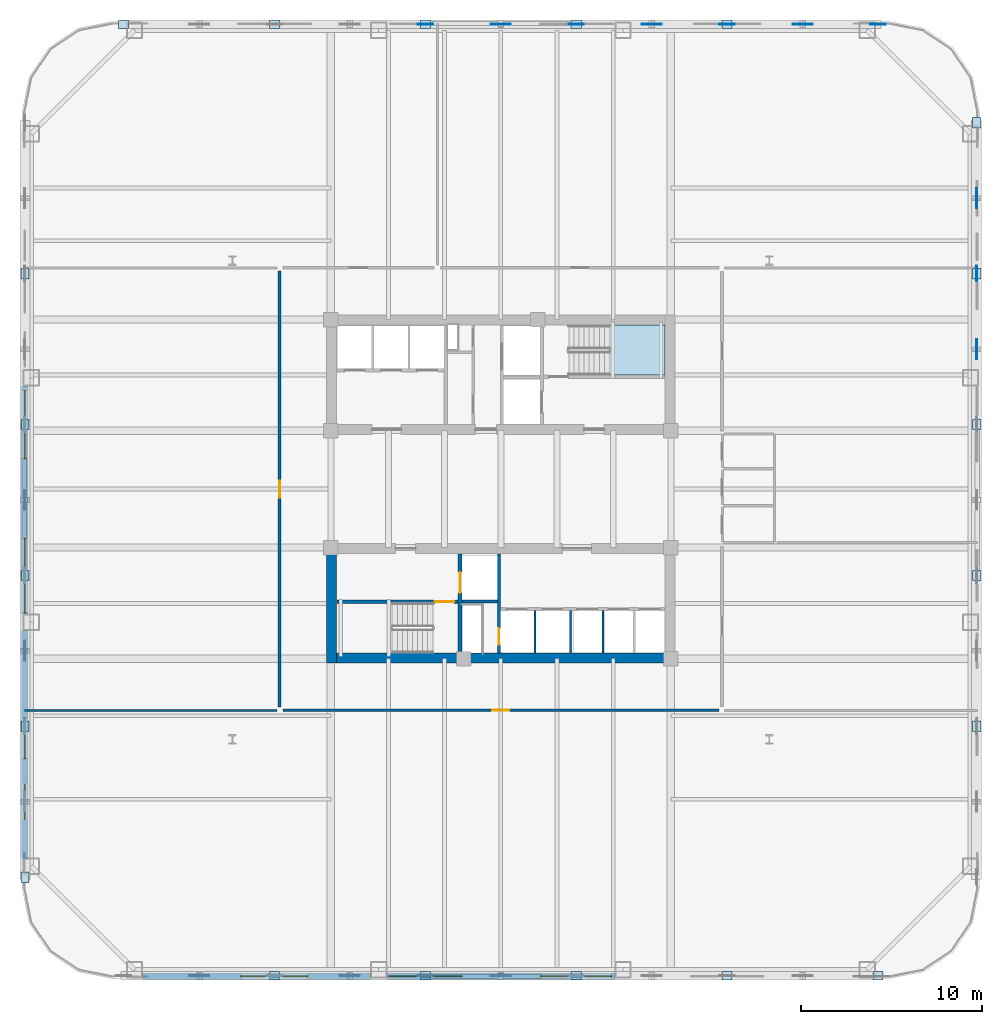
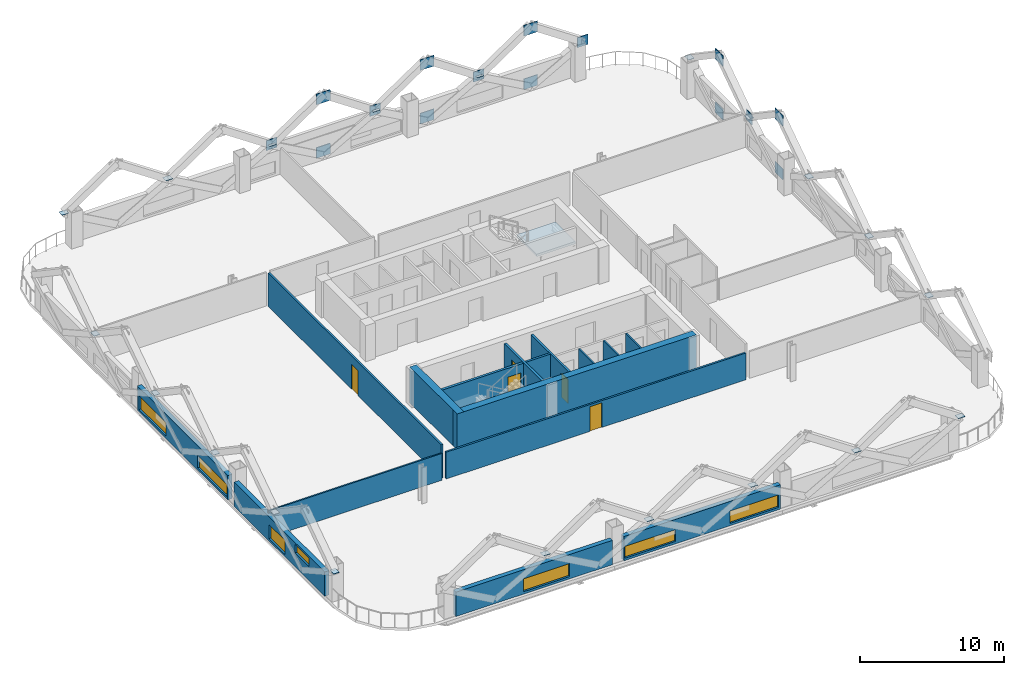
# One storey, part 4 of 13: 35 plates, 16 walls, 7 windows, 5 doors, 1 slab, 12 openings, 1 element without a shape of its own.
"""IFC4 building model written with IfcOpenShell, lengths in metres."""

import ifcopenshell
import ifcopenshell.guid

model = None  # the IFC model being written
_history = None  # IfcOwnerHistory: only IFC2X3 demands one
_inside = {}  # id of a spatial element -> (the spatial element, [elements in it])
_under = {}  # id of a project, library or spatial element -> (it, [spatial elements below it])
_declared = {}  # id of a project -> (the project, [libraries it declares])
_typed = {}  # id of a type object -> (the type object, [elements of that type])
_made_of = {}  # id of a material, layer set ... -> (it, [elements and type objects made of it])


def new_model(schema):
    """Start an empty IFC model of exactly this schema.

    Asked for "IFC4X3", IfcOpenShell would pick the latest addendum, in which some entities
    have other attributes; the version numbers below select the first issue.
    IFC2X3 requires an IfcOwnerHistory on every rooted entity: one is made here for all.
    """
    global model, _history
    if schema == "IFC4X3":
        model = ifcopenshell.file(schema_version=(4, 3, 0, 0))
    else:
        model = ifcopenshell.file(schema=schema)
    _inside.clear()
    _under.clear()
    _declared.clear()
    _typed.clear()
    _made_of.clear()
    _history = None
    if model.schema == "IFC2X3":
        org = make("IfcOrganization", Name="unknown")
        user = make(
            "IfcPersonAndOrganization",
            ThePerson=make("IfcPerson", FamilyName="unknown"),
            TheOrganization=org,
        )
        app = make(
            "IfcApplication",
            ApplicationDeveloper=org,
            Version="unknown",
            ApplicationFullName="unknown",
            ApplicationIdentifier="unknown",
        )
        _history = make(
            "IfcOwnerHistory",
            OwningUser=user,
            OwningApplication=app,
            ChangeAction="ADDED",
            CreationDate=0,
        )
    return model


def make(cls, **values):
    """One entity of the class cls with the attributes given. An attribute that is None is left unset."""
    return model.create_entity(
        cls, **{name: value for name, value in values.items() if value is not None}
    )


def rooted(cls, **values):
    """An entity with a GlobalId (a new one), such as an element, a storey or a relation."""
    return make(cls, GlobalId=ifcopenshell.guid.new(), OwnerHistory=_history, **values)


def si_unit(unit_type, name, prefix=None):
    """IfcSIUnit, for example si_unit("LENGTHUNIT", "METRE", prefix="MILLI")."""
    return make("IfcSIUnit", UnitType=unit_type, Prefix=prefix, Name=name)


def assignment(units):
    """IfcUnitAssignment: the units of a project."""
    return None if units is None else make("IfcUnitAssignment", Units=units)


def point(xyz):
    """IfcCartesianPoint."""
    return None if xyz is None else make("IfcCartesianPoint", Coordinates=xyz)


def direction(xyz):
    """IfcDirection."""
    return None if xyz is None else make("IfcDirection", DirectionRatios=xyz)


def frame(location, z_axis=None, x_axis=None):
    """IfcAxis2Placement3D, a coordinate frame: its origin and axes. An axis left out is left unset."""
    return make(
        "IfcAxis2Placement3D",
        Location=point(location),
        Axis=direction(z_axis),
        RefDirection=direction(x_axis),
    )


def frame_2d(location, x_axis=None):
    """IfcAxis2Placement2D, a coordinate frame in the plane: its origin and x axis."""
    return make(
        "IfcAxis2Placement2D", Location=point(location), RefDirection=direction(x_axis)
    )


def origin():
    """The frame at (0, 0, 0) with its axes left unset."""
    return frame((0.0, 0.0, 0.0))


def origin_2d():
    """The frame at (0, 0) in the plane with its x axis left unset."""
    return frame_2d((0.0, 0.0))


def place(relative_to, where):
    """IfcLocalPlacement: puts the frame where relative to a parent placement (None: the world)."""
    return make(
        "IfcLocalPlacement", PlacementRelTo=relative_to, RelativePlacement=where
    )


def context(
    kind, dimensions, precision=None, world=None, true_north=None, identifier=None
):
    """IfcGeometricRepresentationContext, for example the 3D "Model" context."""
    return make(
        "IfcGeometricRepresentationContext",
        ContextIdentifier=identifier,
        ContextType=kind,
        CoordinateSpaceDimension=dimensions,
        Precision=precision,
        WorldCoordinateSystem=world,
        TrueNorth=true_north,
    )


def subcontext(parent, identifier, kind, view, scale=None):
    """IfcGeometricRepresentationSubContext, for example "Body" below "Model"."""
    return make(
        "IfcGeometricRepresentationSubContext",
        ContextIdentifier=identifier,
        ContextType=kind,
        ParentContext=parent,
        TargetScale=scale,
        TargetView=view,
    )


def project(units=None, contexts=None):
    """IfcProject with its units and contexts."""
    return rooted(
        "IfcProject",
        Name="project",
        RepresentationContexts=contexts,
        UnitsInContext=assignment(units),
    )


def spatial(cls, under=None, at=None, **own):
    """A site, building, storey or space (cls), placed at a placement, below another one or the project."""
    s = rooted(cls, ObjectPlacement=at, **own)
    if under is not None:
        _under.setdefault(under.id(), (under, []))[1].append(s)
    return s


def polyline(points):
    """IfcPolyline through the points."""
    return make("IfcPolyline", Points=[point(p) for p in points])


def profile(cls, at=None, kind="AREA", **sizes):
    """A parametric profile (cls). Its sizes go by their IFC names, for example OverallWidth=200.0."""
    return make(cls, ProfileType=kind, Position=at, **sizes)


def rectangle(**sizes):
    """IfcRectangleProfileDef."""
    return profile("IfcRectangleProfileDef", **sizes)


def outline(outer, holes=None, kind="AREA"):
    """IfcArbitraryClosedProfileDef: a profile drawn as a closed curve; with holes, ...WithVoids."""
    if holes is None:
        return make("IfcArbitraryClosedProfileDef", ProfileType=kind, OuterCurve=outer)
    return make(
        "IfcArbitraryProfileDefWithVoids",
        ProfileType=kind,
        OuterCurve=outer,
        InnerCurves=holes,
    )


def extrude(swept, where, along, depth):
    """IfcExtrudedAreaSolid: the profile swept, set in the frame where, extruded along a direction by depth."""
    return make(
        "IfcExtrudedAreaSolid",
        SweptArea=swept,
        Position=where,
        ExtrudedDirection=direction(along),
        Depth=depth,
    )


def shape(context_of_items, identifier, shape_type, items):
    """IfcShapeRepresentation: the items that make up one representation, for example the "Body"."""
    return make(
        "IfcShapeRepresentation",
        ContextOfItems=context_of_items,
        RepresentationIdentifier=identifier,
        RepresentationType=shape_type,
        Items=items,
    )


def material(Name=None, Category=None):
    """IfcMaterial."""
    return make("IfcMaterial", Name=Name, Category=Category)


def layer(
    of_material, thickness, ventilated=None, Name=None, Category=None, Priority=None
):
    """IfcMaterialLayer: one layer of a wall or slab, of a material (None: an air gap)."""
    return make(
        "IfcMaterialLayer",
        Material=of_material,
        LayerThickness=thickness,
        IsVentilated=ventilated,
        Name=Name,
        Category=Category,
        Priority=Priority,
    )


def layer_set(layers, Name=None):
    """IfcMaterialLayerSet."""
    return make("IfcMaterialLayerSet", MaterialLayers=layers, LayerSetName=Name)


def made_of(thing, what):
    """Note that an element or type object is made of a material, layer set ...; save() writes the relation."""
    if what is not None:
        _made_of.setdefault(what.id(), (what, []))[1].append(thing)
    return thing


def type_object(cls, material=None, **own):
    """A type object (cls), such as IfcWallType, which elements share."""
    return made_of(rooted(cls, **own), material)


def element(
    cls,
    number,
    at=None,
    inside=None,
    cuts=None,
    type_object=None,
    material=None,
    context=None,
    identifier="Body",
    shape_type=None,
    held_by="IfcProductDefinitionShape",
    body=None,
    shapes=None,
    **own,
):
    """One element of the class cls, such as IfcWall. Its Tag is "e" and its number.

    at: its placement. inside: the storey or other place that contains it. cuts: it is an
    opening in that element (IfcRelVoidsElement). A single representation is given by context,
    identifier, shape_type and body (its items); several are given by shapes. held_by: the class
    of the entity that holds the representations. save() writes the other relations.
    """
    e = rooted(cls, Tag="e%d" % number, ObjectPlacement=at, **own)
    if body is not None:
        shapes = [shape(context, identifier, shape_type, body)]
    if shapes is not None:
        e.Representation = make(held_by, Representations=shapes)
    if inside is not None:
        _inside.setdefault(inside.id(), (inside, []))[1].append(e)
    if cuts is not None:
        rooted(
            "IfcRelVoidsElement", RelatingBuildingElement=cuts, RelatedOpeningElement=e
        )
    if type_object is not None:
        _typed.setdefault(type_object.id(), (type_object, []))[1].append(e)
    return made_of(e, material)


def fill(opening, filler):
    """IfcRelFillsElement: the door or window that sits in an opening."""
    return rooted(
        "IfcRelFillsElement",
        RelatingOpeningElement=opening,
        RelatedBuildingElement=filler,
    )


def aggregate(whole, parts):
    """IfcRelAggregates: a whole, such as a stair, and the parts it consists of."""
    return rooted("IfcRelAggregates", RelatingObject=whole, RelatedObjects=parts)


def save(model, path):
    """Write the relations noted so far, then the file.

    IfcRelAggregates (storeys below a building ...), IfcRelContainedInSpatialStructure (elements
    in a storey), IfcRelDefinesByType, IfcRelAssociatesMaterial and IfcRelDeclares: one each for
    every whole, place, type object, material and project.
    """
    for whole, parts in _under.values():
        aggregate(whole, parts)
    for where, things in _inside.values():
        rooted(
            "IfcRelContainedInSpatialStructure",
            RelatedElements=things,
            RelatingStructure=where,
        )
    for kind, things in _typed.values():
        rooted("IfcRelDefinesByType", RelatedObjects=things, RelatingType=kind)
    for what, things in _made_of.values():
        rooted("IfcRelAssociatesMaterial", RelatedObjects=things, RelatingMaterial=what)
    for by, libraries in _declared.values():
        rooted("IfcRelDeclares", RelatingContext=by, RelatedDefinitions=libraries)
    model.write(path)


model = new_model("IFC4")

# Units and contexts
model_context = context("Model", 3, precision=1e-05, world=origin(), true_north=direction((0.0, 1.0)))
body_context = subcontext(model_context, "Body", "Model", "MODEL_VIEW")
ifc_project = project(units=[si_unit("LENGTHUNIT", "METRE"), si_unit("AREAUNIT", "SQUARE_METRE"), si_unit("VOLUMEUNIT", "CUBIC_METRE"), si_unit("PLANEANGLEUNIT", "RADIAN"), si_unit("MASSUNIT", "GRAM", prefix="KILO")], contexts=[model_context])

# Site, building, storey
site_placement = place(None, origin())
site = spatial("IfcSite", under=ifc_project, at=site_placement, CompositionType="ELEMENT")
building_placement = place(site_placement, origin())
building = spatial("IfcBuilding", under=site, at=building_placement, Name="Qhalaya Broadcast Tower", CompositionType="ELEMENT")
storey_placement = place(building_placement, frame((0.0, 0.0, 32.199951171875)))
storey = spatial("IfcBuildingStorey", under=building, at=storey_placement, Name="L08", CompositionType="ELEMENT", Elevation=32.199951171875)

# Plates
ifc_material_1 = material(Name="Structural Steel ASTM A572 Grade 50", Category="steel")
ifc_layer_1 = layer(ifc_material_1, 0.054931640625, Name="Structural Steel ASTM A572 Grade 50")
ifc_layer_set_1 = layer_set([ifc_layer_1], Name="Structural Steel ASTM A572 Grade 50")
plate_type_1 = type_object("IfcPlateType", Name="Exoskeleton Diamond Node Gusset Plate NP-01", PredefinedType="USERDEFINED", material=ifc_layer_set_1)
for number, where, z_axis, x_axis, name in (
    (1, (26.239990234375, 8.320068359375, 0.210205078125), (0.0, 0.0, 1.0), (0.0, 1.0, 0.0), "Exoskeleton Diamond Node B1-E4-BOT"),
    (2, (26.239990234375, 8.320068359375, 4.75), (0.0, 0.0, 1.0), (0.0, 1.0, 0.0), "Exoskeleton Diamond Node B1-E4-TOP"),
    (3, (26.239990234375, 16.639892578125, 0.210205078125), (0.0, 0.0, 1.0), (0.0, 1.0, 0.0), "Exoskeleton Diamond Node B1-E5-BOT"),
    (4, (26.239990234375, 16.639892578125, 4.75), (0.0, 0.0, 1.0), (0.0, 1.0, 0.0), "Exoskeleton Diamond Node B1-E5-TOP"),
):
    element("IfcPlate", number, at=place(storey_placement, frame(where, z_axis=z_axis, x_axis=x_axis)), inside=storey, type_object=plate_type_1, Name=name, ObjectType="GUSSET_PLATE", PredefinedType="USERDEFINED", context=body_context, shape_type="SweptSolid", body=[
        extrude(rectangle(XDim=1.10009765625, YDim=0.054931640625, at=origin_2d()), origin(), (0.0, 0.0, 1.0), 0.89990234375),
    ])
plate_1_placement = place(storey_placement, frame((26.239990234375, 12.47998046875, 2.264892578125), z_axis=(0.0, 0.0, 1.0), x_axis=(0.0, 1.0, 0.0)))
element("IfcPlate", 5, at=plate_1_placement, inside=storey, type_object=plate_type_1, Name="Exoskeleton Diamond Node B1-E5-MDL", ObjectType="GUSSET_PLATE", PredefinedType="USERDEFINED", context=body_context, shape_type="SweptSolid", body=[
    extrude(rectangle(XDim=0.85009765625, YDim=0.054931640625, at=origin_2d()), origin(), (0.0, 0.0, 1.0), 0.85009765625),
])
for number, where, z_axis, x_axis, name in (
    (6, (16.639892578125, 26.239990234375, 0.210205078125), (0.0, 0.0, 1.0), (1.0, 0.0, 0.0), "Exoskeleton Diamond Node B1-N1-BOT"),
    (7, (16.639892578125, 26.239990234375, 4.75), (0.0, 0.0, 1.0), (1.0, 0.0, 0.0), "Exoskeleton Diamond Node B1-N1-TOP"),
):
    element("IfcPlate", number, at=place(storey_placement, frame(where, z_axis=z_axis, x_axis=x_axis)), inside=storey, type_object=plate_type_1, Name=name, ObjectType="GUSSET_PLATE", PredefinedType="USERDEFINED", context=body_context, shape_type="SweptSolid", body=[
        extrude(rectangle(XDim=1.10009765625, YDim=0.054931640625, at=origin_2d()), origin(), (0.0, 0.0, 1.0), 0.89990234375),
    ])
plate_2_placement = place(storey_placement, frame((20.800048828125, 26.239990234375, 2.264892578125), z_axis=(0.0, 0.0, 1.0), x_axis=(1.0, 0.0, 0.0)))
element("IfcPlate", 8, at=plate_2_placement, inside=storey, type_object=plate_type_1, Name="Exoskeleton Diamond Node B1-N1-MDL", ObjectType="GUSSET_PLATE", PredefinedType="USERDEFINED", context=body_context, shape_type="SweptSolid", body=[
    extrude(rectangle(XDim=0.85009765625, YDim=0.054931640625, at=origin_2d()), origin(), (0.0, 0.0, 1.0), 0.85009765625),
])
for number, where, z_axis, x_axis, name in (
    (9, (8.320068359375, 26.239990234375, 0.210205078125), (0.0, 0.0, 1.0), (1.0, 0.0, 0.0), "Exoskeleton Diamond Node B1-N2-BOT"),
    (10, (8.320068359375, 26.239990234375, 4.75), (0.0, 0.0, 1.0), (1.0, 0.0, 0.0), "Exoskeleton Diamond Node B1-N2-TOP"),
):
    element("IfcPlate", number, at=place(storey_placement, frame(where, z_axis=z_axis, x_axis=x_axis)), inside=storey, type_object=plate_type_1, Name=name, ObjectType="GUSSET_PLATE", PredefinedType="USERDEFINED", context=body_context, shape_type="SweptSolid", body=[
        extrude(rectangle(XDim=1.10009765625, YDim=0.054931640625, at=origin_2d()), origin(), (0.0, 0.0, 1.0), 0.89990234375),
    ])
plate_3_placement = place(storey_placement, frame((12.47998046875, 26.239990234375, 2.264892578125), z_axis=(0.0, 0.0, 1.0), x_axis=(1.0, 0.0, 0.0)))
element("IfcPlate", 11, at=plate_3_placement, inside=storey, type_object=plate_type_1, Name="Exoskeleton Diamond Node B1-N2-MDL", ObjectType="GUSSET_PLATE", PredefinedType="USERDEFINED", context=body_context, shape_type="SweptSolid", body=[
    extrude(rectangle(XDim=0.85009765625, YDim=0.054931640625, at=origin_2d()), origin(), (0.0, 0.0, 1.0), 0.85009765625),
])
for number, where, z_axis, x_axis, name in (
    (12, (0.0, 26.239990234375, 0.210205078125), (0.0, 0.0, 1.0), (1.0, 0.0, 0.0), "Exoskeleton Diamond Node B1-N3-BOT"),
    (13, (0.0, 26.239990234375, 4.75), (0.0, 0.0, 1.0), (1.0, 0.0, 0.0), "Exoskeleton Diamond Node B1-N3-TOP"),
):
    element("IfcPlate", number, at=place(storey_placement, frame(where, z_axis=z_axis, x_axis=x_axis)), inside=storey, type_object=plate_type_1, Name=name, ObjectType="GUSSET_PLATE", PredefinedType="USERDEFINED", context=body_context, shape_type="SweptSolid", body=[
        extrude(rectangle(XDim=1.10009765625, YDim=0.054931640625, at=origin_2d()), origin(), (0.0, 0.0, 1.0), 0.89990234375),
    ])
for number, where, z_axis, x_axis, name in (
    (14, (4.159912109375, 26.239990234375, 2.264892578125), (0.0, 0.0, 1.0), (1.0, 0.0, 0.0), "Exoskeleton Diamond Node B1-N3-MDL"),
    (15, (-4.159912109375, 26.239990234375, 2.264892578125), (0.0, 0.0, 1.0), (1.0, 0.0, 0.0), "Exoskeleton Diamond Node B1-N4-MDL"),
):
    element("IfcPlate", number, at=place(storey_placement, frame(where, z_axis=z_axis, x_axis=x_axis)), inside=storey, type_object=plate_type_1, Name=name, ObjectType="GUSSET_PLATE", PredefinedType="USERDEFINED", context=body_context, shape_type="SweptSolid", body=[
        extrude(rectangle(XDim=0.85009765625, YDim=0.054931640625, at=origin_2d()), origin(), (0.0, 0.0, 1.0), 0.85009765625),
    ])
ifc_layer_2 = layer(ifc_material_1, 0.4599609375, Name="Structural Steel ASTM A572 Grade 50")
ifc_layer_set_2 = layer_set([ifc_layer_2], Name="Structural Steel ASTM A572 Grade 50")
plate_type_2 = type_object("IfcPlateType", Name="Hollow Box Member End Cap Plate CP-01", PredefinedType="USERDEFINED", material=ifc_layer_set_2)
for number, where, z_axis, x_axis, name in (
    (16, (-12.47998046875, -26.239990234375, 2.673828125), (0.0, 0.0, 1.0), (1.0, 0.0, 0.0), "Exoskeleton Hollow End Cap B1-S1"),
    (17, (-4.159912109375, -26.239990234375, 2.673828125), (0.0, 0.0, 1.0), (1.0, 0.0, 0.0), "Exoskeleton Hollow End Cap B1-S2"),
    (18, (4.159912109375, -26.239990234375, 2.673828125), (0.0, 0.0, 1.0), (1.0, 0.0, 0.0), "Exoskeleton Hollow End Cap B1-S3"),
    (19, (12.47998046875, -26.239990234375, 2.673828125), (0.0, 0.0, 1.0), (1.0, 0.0, 0.0), "Exoskeleton Hollow End Cap B1-S4"),
    (20, (20.800048828125, -26.239990234375, 2.673828125), (0.0, 0.0, 1.0), (1.0, 0.0, 0.0), "Exoskeleton Hollow End Cap B1-S5"),
    (21, (26.239990234375, -12.47998046875, 2.673828125), (0.0, 0.0, 1.0), (0.0, 1.0, 0.0), "Exoskeleton Hollow End Cap B1-E1"),
    (22, (26.239990234375, -4.159912109375, 2.673828125), (0.0, 0.0, 1.0), (0.0, 1.0, 0.0), "Exoskeleton Hollow End Cap B1-E2"),
    (23, (26.239990234375, 4.159912109375, 2.673828125), (0.0, 0.0, 1.0), (0.0, 1.0, 0.0), "Exoskeleton Hollow End Cap B1-E3"),
    (24, (26.239990234375, 12.47998046875, 2.673828125), (0.0, 0.0, 1.0), (0.0, 1.0, 0.0), "Exoskeleton Hollow End Cap B1-E4"),
    (25, (26.239990234375, 20.800048828125, 2.673828125), (0.0, 0.0, 1.0), (0.0, 1.0, 0.0), "Exoskeleton Hollow End Cap B1-E5"),
    (26, (12.47998046875, 26.239990234375, 2.673828125), (0.0, 0.0, 1.0), (1.0, 0.0, 0.0), "Exoskeleton Hollow End Cap B1-N1"),
    (27, (4.159912109375, 26.239990234375, 2.673828125), (0.0, 0.0, 1.0), (1.0, 0.0, 0.0), "Exoskeleton Hollow End Cap B1-N2"),
    (28, (-4.159912109375, 26.239990234375, 2.673828125), (0.0, 0.0, 1.0), (1.0, 0.0, 0.0), "Exoskeleton Hollow End Cap B1-N3"),
    (29, (-12.47998046875, 26.239990234375, 2.673828125), (0.0, 0.0, 1.0), (1.0, 0.0, 0.0), "Exoskeleton Hollow End Cap B1-N4"),
    (30, (-20.800048828125, 26.239990234375, 2.673828125), (0.0, 0.0, 1.0), (1.0, 0.0, 0.0), "Exoskeleton Hollow End Cap B1-N5"),
    (31, (-26.239990234375, 12.47998046875, 2.673828125), (0.0, 0.0, 1.0), (0.0, 1.0, 0.0), "Exoskeleton Hollow End Cap B1-W1"),
    (32, (-26.239990234375, 4.159912109375, 2.673828125), (0.0, 0.0, 1.0), (0.0, 1.0, 0.0), "Exoskeleton Hollow End Cap B1-W2"),
    (33, (-26.239990234375, -4.159912109375, 2.673828125), (0.0, 0.0, 1.0), (0.0, 1.0, 0.0), "Exoskeleton Hollow End Cap B1-W3"),
    (34, (-26.239990234375, -12.47998046875, 2.673828125), (0.0, 0.0, 1.0), (0.0, 1.0, 0.0), "Exoskeleton Hollow End Cap B1-W4"),
    (35, (-26.239990234375, -20.800048828125, 2.673828125), (0.0, 0.0, 1.0), (0.0, 1.0, 0.0), "Exoskeleton Hollow End Cap B1-W5"),
):
    element("IfcPlate", number, at=place(storey_placement, frame(where, z_axis=z_axis, x_axis=x_axis)), inside=storey, type_object=plate_type_2, Name=name, ObjectType="COVER_PLATE", PredefinedType="USERDEFINED", context=body_context, shape_type="SweptSolid", body=[
        extrude(rectangle(XDim=0.56005859375, YDim=0.4599609375, at=origin_2d()), origin(), (0.0, 0.0, 1.0), 0.031982421875),
    ])

# Stair, slab
ifc_material_2 = material(Name="Concrete C40/50", Category="concrete")
stair_type = type_object("IfcStairType", Name="Protected Dogleg Core Stair 3150", PredefinedType="TWO_STRAIGHT_RUN_STAIR", material=ifc_material_2)
stair_placement = place(storey_placement, origin())
stair = element("IfcStair", 36, at=stair_placement, inside=storey, type_object=stair_type, Name="L08 North Core Exit Stair ST-1", PredefinedType="TWO_STRAIGHT_RUN_STAIR")
ifc_layer_3 = layer(ifc_material_2, 0.199951171875, Name="Concrete C40/50")
ifc_layer_set_3 = layer_set([ifc_layer_3], Name="Concrete C40/50")
slab_type = type_object("IfcSlabType", Name="Stair & Ramp Half-Landing Slab 200", PredefinedType="LANDING", material=ifc_layer_set_3)
slab_placement = place(storey_placement, frame((0.0, 0.0, 1.324951171875)))
slab = element("IfcSlab", 37, at=slab_placement, type_object=slab_type, Name="ST-1 landing 1", PredefinedType="LANDING", context=body_context, shape_type="SweptSolid", body=[
    extrude(outline(polyline([(5.955078125, 6.8798828125), (9.050048828125, 6.8798828125), (9.050048828125, 9.639892578125), (5.955078125, 9.639892578125), (5.955078125, 6.8798828125)])), origin(), (0.0, 0.0, 1.0), 0.2001953125),
])
aggregate(stair, [slab])

# Wall, opening, door
ifc_material_3 = material(Name="Gypsum Acoustic Partition")
ifc_layer_4 = layer(ifc_material_3, 0.14990234375, Name="Gypsum Acoustic Partition")
ifc_layer_set_4 = layer_set([ifc_layer_4], Name="Gypsum Acoustic Partition")
wall_type_1 = type_object("IfcWallType", Name="Corridor & Tenancy Acoustic Partition 150", PredefinedType="PARTITIONING", material=ifc_layer_set_4)
wall_1_placement = place(storey_placement, frame((-12.02001953125, -11.60009765625, 0.0), z_axis=(0.0, 0.0, 1.0), x_axis=(1.0, 0.0, 0.0)))
wall_1 = element("IfcWall", 38, at=wall_1_placement, inside=storey, type_object=wall_type_1, Name="L08 Partition Wall W-COR-03", PredefinedType="PARTITIONING", context=body_context, shape_type="SweptSolid", body=[
    extrude(rectangle(XDim=24.0400390625, YDim=0.14990234375, at=frame_2d((12.02001953125, 0.0))), origin(), (0.0, 0.0, 1.0), 2.274169921875),
])
opening_1_placement = place(wall_1_placement, frame((11.544921875, 0.0, 0.0)))
opening_1 = element("IfcOpeningElement", 39, at=opening_1_placement, cuts=wall_1, Name="Opening D10", PredefinedType="OPENING", context=body_context, shape_type="SweptSolid", body=[
    extrude(rectangle(XDim=0.949951171875, YDim=2.10009765625, at=frame_2d((0.47509765625, 1.050048828125))), frame((0.0, 0.0869140625, 0.0), z_axis=(0.0, -1.0, 0.0), x_axis=(1.0, 0.0, 0.0)), (0.0, 0.0, 1.0), 0.173828125),
])
ifc_material_4 = material(Name="Timber Veneer Acoustic Door", Category="wood")
door_type_1 = type_object("IfcDoorType", Name="Cellular Office & Edit Booth Door D10", OperationType="NOTDEFINED", PredefinedType="DOOR", material=ifc_material_4)
door_1_placement = place(opening_1_placement, origin())
door_1 = element("IfcDoor", 40, at=door_1_placement, inside=storey, type_object=door_type_1, Name="L08 Door D-RM03", OperationType="SINGLE_SWING_RIGHT", OverallHeight=2.10009765625, OverallWidth=0.949951171875, PredefinedType="DOOR", context=body_context, shape_type="SweptSolid", body=[
    extrude(rectangle(XDim=0.949951171875, YDim=2.10009765625, at=frame_2d((0.47509765625, 1.050048828125))), frame((0.0, 0.02490234375, 0.0), z_axis=(0.0, -1.0, 0.0), x_axis=(1.0, 0.0, 0.0)), (0.0, 0.0, 1.0), 0.050048828125),
])
fill(opening_1, door_1)

wall_2_placement = place(storey_placement, frame((-12.199951171875, -11.419921875, 0.0), z_axis=(0.0, 0.0, 1.0), x_axis=(0.0, 1.0, 0.0)))
wall_2 = element("IfcWall", 41, at=wall_2_placement, inside=storey, type_object=wall_type_1, Name="L08 Partition Wall W-COR-04", PredefinedType="PARTITIONING", context=body_context, shape_type="SweptSolid", body=[
    extrude(rectangle(XDim=24.0400390625, YDim=0.14990234375, at=frame_2d((12.02001953125, 0.0))), origin(), (0.0, 0.0, 1.0), 2.830078125),
])
opening_2_placement = place(wall_2_placement, frame((11.544921875, 0.0, 0.0)))
opening_2 = element("IfcOpeningElement", 42, at=opening_2_placement, cuts=wall_2, Name="Opening D10", PredefinedType="OPENING", context=body_context, shape_type="SweptSolid", body=[
    extrude(rectangle(XDim=0.949951171875, YDim=2.10009765625, at=frame_2d((0.47509765625, 1.050048828125))), frame((0.0, 0.0869140625, 0.0), z_axis=(0.0, -1.0, 0.0), x_axis=(1.0, 0.0, 0.0)), (0.0, 0.0, 1.0), 0.173828125),
])
door_2_placement = place(opening_2_placement, origin())
door_2 = element("IfcDoor", 43, at=door_2_placement, inside=storey, type_object=door_type_1, Name="L08 Door D-RM04", OperationType="SINGLE_SWING_LEFT", OverallHeight=2.10009765625, OverallWidth=0.949951171875, PredefinedType="DOOR", context=body_context, shape_type="SweptSolid", body=[
    extrude(rectangle(XDim=0.949951171875, YDim=2.10009765625, at=frame_2d((0.47509765625, 1.050048828125))), frame((0.0, 0.02490234375, 0.0), z_axis=(0.0, -1.0, 0.0), x_axis=(1.0, 0.0, 0.0)), (0.0, 0.0, 1.0), 0.050048828125),
])
fill(opening_2, door_2)

# Wall, openings, windows
ifc_material_5 = material(Name="Precast Concrete C40/50", Category="concrete")
ifc_layer_5 = layer(ifc_material_5, 0.360107421875, Name="Precast Concrete C40/50")
ifc_layer_set_5 = layer_set([ifc_layer_5], Name="Precast Concrete C40/50")
wall_type_2 = type_object("IfcWallType", Name="Insulated Precast Terracotta Exterior Wall 360", PredefinedType="SOLIDWALL", material=ifc_layer_set_5)
wall_3_placement = place(storey_placement, frame((6.283203125, -26.260009765625, 0.0), z_axis=(0.0, 0.0, 1.0), x_axis=(-1.0, 0.0, 0.0)))
wall_3 = element("IfcWall", 44, at=wall_3_placement, inside=storey, type_object=wall_type_2, Name="L08 Exoskeleton Diagrid Infill Wall S2", PredefinedType="SOLIDWALL", context=body_context, shape_type="SweptSolid", body=[
    extrude(rectangle(XDim=12.56640625, YDim=0.360107421875, at=frame_2d((6.283203125, 0.0))), origin(), (0.0, 0.0, 1.0), 2.067138671875),
])
opening_3_placement = place(wall_3_placement, frame((0.1708984375, 0.0, 0.199951171875)))
opening_3 = element("IfcOpeningElement", 45, at=opening_3_placement, cuts=wall_3, Name="Opening W11", PredefinedType="OPENING", context=body_context, shape_type="SweptSolid", body=[
    extrude(rectangle(XDim=3.89990234375, YDim=1.050048828125, at=frame_2d((1.949951171875, 0.52490234375))), frame((0.0, 0.192138671875, 0.0), z_axis=(0.0, -1.0, 0.0), x_axis=(1.0, 0.0, 0.0)), (0.0, 0.0, 1.0), 0.384033203125),
])
opening_4_placement = place(wall_3_placement, frame((8.4208984375, 0.0, 0.199951171875)))
opening_4 = element("IfcOpeningElement", 46, at=opening_4_placement, cuts=wall_3, Name="Opening W11", PredefinedType="OPENING", context=body_context, shape_type="SweptSolid", body=[
    extrude(rectangle(XDim=4.050048828125, YDim=1.0, at=frame_2d((2.02490234375, 0.5))), frame((0.0, 0.192138671875, 0.0), z_axis=(0.0, -1.0, 0.0), x_axis=(1.0, 0.0, 0.0)), (0.0, 0.0, 1.0), 0.384033203125),
])
ifc_material_6 = material(Name="Solar-Control Low-E Triple Glazing", Category="glass")
window_type = type_object("IfcWindowType", Name="Odd-Block Diagrid Infill Window W11", PartitioningType="SINGLE_PANEL", PredefinedType="WINDOW", material=ifc_material_6)
window_1_placement = place(opening_3_placement, origin())
window_1 = element("IfcWindow", 47, at=window_1_placement, inside=storey, type_object=window_type, Name="L08 Diagrid Infill Window W11-S2", OverallHeight=1.050048828125, OverallWidth=3.89990234375, PartitioningType="SINGLE_PANEL", PredefinedType="WINDOW", context=body_context, shape_type="SweptSolid", body=[
    extrude(rectangle(XDim=3.89990234375, YDim=1.050048828125, at=frame_2d((1.949951171875, 0.52490234375))), frame((0.0, 0.030029296875, 0.0), z_axis=(0.0, -1.0, 0.0), x_axis=(1.0, 0.0, 0.0)), (0.0, 0.0, 1.0), 0.06005859375),
])
fill(opening_3, window_1)
window_2_placement = place(opening_4_placement, origin())
window_2 = element("IfcWindow", 48, at=window_2_placement, inside=storey, type_object=window_type, Name="L08 Diagrid Infill Window W11-S3", OverallHeight=1.0, OverallWidth=4.050048828125, PartitioningType="SINGLE_PANEL", PredefinedType="WINDOW", context=body_context, shape_type="SweptSolid", body=[
    extrude(rectangle(XDim=4.050048828125, YDim=1.0, at=frame_2d((2.02490234375, 0.5))), frame((0.0, 0.030029296875, 0.0), z_axis=(0.0, -1.0, 0.0), x_axis=(1.0, 0.0, 0.0)), (0.0, 0.0, 1.0), 0.06005859375),
])
fill(opening_4, window_2)

# Wall, opening, window
wall_4_placement = place(storey_placement, frame((-7.183349609375, -26.260009765625, 0.0), z_axis=(0.0, 0.0, 1.0), x_axis=(-1.0, 0.0, 0.0)))
wall_4 = element("IfcWall", 49, at=wall_4_placement, inside=storey, type_object=wall_type_2, Name="L08 Exoskeleton Diagrid Infill Wall S3", PredefinedType="SOLIDWALL", context=body_context, shape_type="SweptSolid", body=[
    extrude(rectangle(XDim=12.57861328125, YDim=0.360107421875, at=frame_2d((6.289306640625, 0.0))), origin(), (0.0, 0.0, 1.0), 2.067138671875),
])
opening_5_placement = place(wall_4_placement, frame((3.455078125, 0.0, 0.199951171875)))
opening_5 = element("IfcOpeningElement", 50, at=opening_5_placement, cuts=wall_4, Name="Opening W11", PredefinedType="OPENING", context=body_context, shape_type="SweptSolid", body=[
    extrude(rectangle(XDim=3.699951171875, YDim=1.10009765625, at=frame_2d((1.85009765625, 0.550048828125))), frame((0.0, 0.192138671875, 0.0), z_axis=(0.0, -1.0, 0.0), x_axis=(1.0, 0.0, 0.0)), (0.0, 0.0, 1.0), 0.384033203125),
])
window_3_placement = place(opening_5_placement, origin())
window_3 = element("IfcWindow", 51, at=window_3_placement, inside=storey, type_object=window_type, Name="L08 Diagrid Infill Window W11-S4", OverallHeight=1.10009765625, OverallWidth=3.699951171875, PartitioningType="SINGLE_PANEL", PredefinedType="WINDOW", context=body_context, shape_type="SweptSolid", body=[
    extrude(rectangle(XDim=3.699951171875, YDim=1.10009765625, at=frame_2d((1.85009765625, 0.550048828125))), frame((0.0, 0.030029296875, 0.0), z_axis=(0.0, -1.0, 0.0), x_axis=(1.0, 0.0, 0.0)), (0.0, 0.0, 1.0), 0.06005859375),
])
fill(opening_5, window_3)

# Wall, openings, windows
wall_5_placement = place(storey_placement, frame((-26.260009765625, -19.761962890625, 0.0), z_axis=(0.0, 0.0, 1.0), x_axis=(0.0, 1.0, 0.0)))
wall_5 = element("IfcWall", 52, at=wall_5_placement, inside=storey, type_object=wall_type_2, Name="L08 Exoskeleton Diagrid Infill Wall W1", PredefinedType="SOLIDWALL", context=body_context, shape_type="SweptSolid", body=[
    extrude(rectangle(XDim=12.57861328125, YDim=0.360107421875, at=frame_2d((6.289306640625, 0.0))), origin(), (0.0, 0.0, 1.0), 2.067138671875),
])
opening_6_placement = place(wall_5_placement, frame((2.14990234375, 0.0, 1.199951171875)))
opening_6 = element("IfcOpeningElement", 53, at=opening_6_placement, cuts=wall_5, Name="Opening W11", PredefinedType="OPENING", context=body_context, shape_type="SweptSolid", body=[
    extrude(rectangle(XDim=1.949951171875, YDim=0.699951171875, at=frame_2d((0.97509765625, 0.35009765625))), frame((0.0, 0.192138671875, 0.0), z_axis=(0.0, -1.0, 0.0), x_axis=(1.0, 0.0, 0.0)), (0.0, 0.0, 1.0), 0.384033203125),
])
opening_7_placement = place(wall_5_placement, frame((5.5, 0.0, 0.199951171875)))
opening_7 = element("IfcOpeningElement", 54, at=opening_7_placement, cuts=wall_5, Name="Opening W11", PredefinedType="OPENING", context=body_context, shape_type="SweptSolid", body=[
    extrude(rectangle(XDim=2.25, YDim=1.199951171875, at=frame_2d((1.125, 0.60009765625))), frame((0.0, 0.192138671875, 0.0), z_axis=(0.0, -1.0, 0.0), x_axis=(1.0, 0.0, 0.0)), (0.0, 0.0, 1.0), 0.384033203125),
])
window_4_placement = place(opening_6_placement, origin())
window_4 = element("IfcWindow", 55, at=window_4_placement, inside=storey, type_object=window_type, Name="L08 Diagrid Infill Window W11-W1", OverallHeight=0.699951171875, OverallWidth=1.949951171875, PartitioningType="SINGLE_PANEL", PredefinedType="WINDOW", context=body_context, shape_type="SweptSolid", body=[
    extrude(rectangle(XDim=1.949951171875, YDim=0.699951171875, at=frame_2d((0.97509765625, 0.35009765625))), frame((0.0, 0.030029296875, 0.0), z_axis=(0.0, -1.0, 0.0), x_axis=(1.0, 0.0, 0.0)), (0.0, 0.0, 1.0), 0.06005859375),
])
fill(opening_6, window_4)
window_5_placement = place(opening_7_placement, origin())
window_5 = element("IfcWindow", 56, at=window_5_placement, inside=storey, type_object=window_type, Name="L08 Diagrid Infill Window W11-W2", OverallHeight=1.199951171875, OverallWidth=2.25, PartitioningType="SINGLE_PANEL", PredefinedType="WINDOW", context=body_context, shape_type="SweptSolid", body=[
    extrude(rectangle(XDim=2.25, YDim=1.199951171875, at=frame_2d((1.125, 0.60009765625))), frame((0.0, 0.030029296875, 0.0), z_axis=(0.0, -1.0, 0.0), x_axis=(1.0, 0.0, 0.0)), (0.0, 0.0, 1.0), 0.06005859375),
])
fill(opening_7, window_5)

wall_6_placement = place(storey_placement, frame((-26.260009765625, -6.283203125, 0.0), z_axis=(0.0, 0.0, 1.0), x_axis=(0.0, 1.0, 0.0)))
wall_6 = element("IfcWall", 57, at=wall_6_placement, inside=storey, type_object=wall_type_2, Name="L08 Exoskeleton Diagrid Infill Wall W2", PredefinedType="SOLIDWALL", context=body_context, shape_type="SweptSolid", body=[
    extrude(rectangle(XDim=12.56640625, YDim=0.360107421875, at=frame_2d((6.283203125, 0.0))), origin(), (0.0, 0.0, 1.0), 2.067138671875),
])
opening_8_placement = place(wall_6_placement, frame((0.071044921875, 0.0, 0.199951171875)))
opening_8 = element("IfcOpeningElement", 58, at=opening_8_placement, cuts=wall_6, Name="Opening W11", PredefinedType="OPENING", context=body_context, shape_type="SweptSolid", body=[
    extrude(rectangle(XDim=4.10009765625, YDim=1.050048828125, at=frame_2d((2.050048828125, 0.52490234375))), frame((0.0, 0.192138671875, 0.0), z_axis=(0.0, -1.0, 0.0), x_axis=(1.0, 0.0, 0.0)), (0.0, 0.0, 1.0), 0.384033203125),
])
opening_9_placement = place(wall_6_placement, frame((8.571044921875, 0.0, 0.199951171875)))
opening_9 = element("IfcOpeningElement", 59, at=opening_9_placement, cuts=wall_6, Name="Opening W11", PredefinedType="OPENING", context=body_context, shape_type="SweptSolid", body=[
    extrude(rectangle(XDim=3.75, YDim=1.14990234375, at=frame_2d((1.875, 0.574951171875))), frame((0.0, 0.192138671875, 0.0), z_axis=(0.0, -1.0, 0.0), x_axis=(1.0, 0.0, 0.0)), (0.0, 0.0, 1.0), 0.384033203125),
])
window_6_placement = place(opening_8_placement, origin())
window_6 = element("IfcWindow", 60, at=window_6_placement, inside=storey, type_object=window_type, Name="L08 Diagrid Infill Window W11-W3", OverallHeight=1.050048828125, OverallWidth=4.10009765625, PartitioningType="SINGLE_PANEL", PredefinedType="WINDOW", context=body_context, shape_type="SweptSolid", body=[
    extrude(rectangle(XDim=4.10009765625, YDim=1.050048828125, at=frame_2d((2.050048828125, 0.52490234375))), frame((0.0, 0.030029296875, 0.0), z_axis=(0.0, -1.0, 0.0), x_axis=(1.0, 0.0, 0.0)), (0.0, 0.0, 1.0), 0.06005859375),
])
fill(opening_8, window_6)
window_7_placement = place(opening_9_placement, origin())
window_7 = element("IfcWindow", 61, at=window_7_placement, inside=storey, type_object=window_type, Name="L08 Diagrid Infill Window W11-W4", OverallHeight=1.14990234375, OverallWidth=3.75, PartitioningType="SINGLE_PANEL", PredefinedType="WINDOW", context=body_context, shape_type="SweptSolid", body=[
    extrude(rectangle(XDim=3.75, YDim=1.14990234375, at=frame_2d((1.875, 0.574951171875))), frame((0.0, 0.030029296875, 0.0), z_axis=(0.0, -1.0, 0.0), x_axis=(1.0, 0.0, 0.0)), (0.0, 0.0, 1.0), 0.06005859375),
])
fill(opening_9, window_7)

# Wall, opening, door
ifc_material_7 = material(Name="Concrete C50/60", Category="concrete")
ifc_layer_6 = layer(ifc_material_7, 0.199951171875, Name="Concrete C50/60")
ifc_layer_set_6 = layer_set([ifc_layer_6], Name="Concrete C50/60")
wall_type_3 = type_object("IfcWallType", Name="Load-Bearing Stair Shaft Wall 200", PredefinedType="SHEAR", material=ifc_layer_set_6)
wall_7_placement = place(storey_placement, frame((-9.030029296875, -5.60498046875, 0.0), z_axis=(0.0, 0.0, 1.0), x_axis=(1.0, 0.0, 0.0)))
wall_7 = element("IfcWall", 62, at=wall_7_placement, inside=storey, type_object=wall_type_3, Name="L08 Stair Core Shear Wall SCW-ST2", PredefinedType="SHEAR", context=body_context, shape_type="SweptSolid", body=[
    extrude(rectangle(XDim=6.669921875, YDim=0.199951171875, at=frame_2d((3.3349609375, 0.0))), origin(), (0.0, 0.0, 1.0), 2.830078125),
])
opening_10_placement = place(wall_7_placement, frame((5.39990234375, 0.0, 0.0)))
opening_10 = element("IfcOpeningElement", 63, at=opening_10_placement, cuts=wall_7, Name="Opening D03", PredefinedType="OPENING", context=body_context, shape_type="SweptSolid", body=[
    extrude(rectangle(XDim=1.050048828125, YDim=2.080078125, at=frame_2d((0.52490234375, 1.0400390625))), frame((0.0, 0.112060546875, 0.0), z_axis=(0.0, -1.0, 0.0), x_axis=(1.0, 0.0, 0.0)), (0.0, 0.0, 1.0), 0.223876953125),
])
ifc_material_8 = material(Name="Fire-Rated Steel Door", Category="steel")
door_type_2 = type_object("IfcDoorType", Name="Core Stair Protected Fire Door D03", OperationType="NOTDEFINED", PredefinedType="DOOR", material=ifc_material_8)
door_3_placement = place(opening_10_placement, origin())
door_3 = element("IfcDoor", 64, at=door_3_placement, inside=storey, type_object=door_type_2, Name="L08 Door D-SST2", OperationType="SINGLE_SWING_RIGHT", OverallHeight=2.080078125, OverallWidth=1.050048828125, PredefinedType="DOOR", context=body_context, shape_type="SweptSolid", body=[
    extrude(rectangle(XDim=1.050048828125, YDim=2.080078125, at=frame_2d((0.52490234375, 1.0400390625))), frame((0.0, 0.02490234375, 0.0), z_axis=(0.0, -1.0, 0.0), x_axis=(1.0, 0.0, 0.0)), (0.0, 0.0, 1.0), 0.050048828125),
])
fill(opening_10, door_3)

wall_8_placement = place(storey_placement, frame((-2.25, -8.429931640625, 0.0), z_axis=(0.0, 0.0, 1.0), x_axis=(0.0, 1.0, 0.0)))
wall_8 = element("IfcWall", 65, at=wall_8_placement, inside=storey, type_object=wall_type_3, Name="L08 Stair Core Shear Wall SCW-FF", PredefinedType="SHEAR", context=body_context, shape_type="SweptSolid", body=[
    extrude(rectangle(XDim=5.4599609375, YDim=0.199951171875, at=frame_2d((2.72998046875, 0.0))), origin(), (0.0, 0.0, 1.0), 2.830078125),
])
opening_11_placement = place(wall_8_placement, frame((3.300048828125, 0.0, 0.0)))
opening_11 = element("IfcOpeningElement", 66, at=opening_11_placement, cuts=wall_8, Name="Opening LD2", PredefinedType="OPENING", context=body_context, shape_type="SweptSolid", body=[
    extrude(rectangle(XDim=1.14990234375, YDim=2.080078125, at=frame_2d((0.574951171875, 1.0400390625))), frame((0.0, 0.112060546875, 0.0), z_axis=(0.0, -1.0, 0.0), x_axis=(1.0, 0.0, 0.0)), (0.0, 0.0, 1.0), 0.223876953125),
])
ifc_material_9 = material(Name="Brushed Stainless Steel Lift Door", Category="steel")
door_type_3 = type_object("IfcDoorType", Name="Firefighting Lift Sliding Landing Door LD2", OperationType="DOUBLE_DOOR_SLIDING", PredefinedType="DOOR", material=ifc_material_9)
door_4_placement = place(opening_11_placement, origin())
door_4 = element("IfcDoor", 67, at=door_4_placement, inside=storey, type_object=door_type_3, Name="L08 Door LD-FF2", OperationType="DOUBLE_DOOR_SLIDING", OverallHeight=2.080078125, OverallWidth=1.14990234375, PredefinedType="DOOR", context=body_context, shape_type="SweptSolid", body=[
    extrude(rectangle(XDim=1.14990234375, YDim=2.080078125, at=frame_2d((0.574951171875, 1.0400390625))), frame((0.0, 0.02490234375, 0.0), z_axis=(0.0, -1.0, 0.0), x_axis=(1.0, 0.0, 0.0)), (0.0, 0.0, 1.0), 0.050048828125),
])
fill(opening_11, door_4)

# Walls
ifc_material_10 = material(Name="Concrete C60/75", Category="concrete")
ifc_layer_7 = layer(ifc_material_10, 0.550048828125, Name="Concrete C60/75")
ifc_layer_set_7 = layer_set([ifc_layer_7], Name="Concrete C60/75")
wall_type_4 = type_object("IfcWallType", Name="Lower Split-Core Shear Wall 550", PredefinedType="SHEAR", material=ifc_layer_set_7)
wall_9_placement = place(storey_placement, frame((-9.60009765625, -8.72509765625, 0.0), z_axis=(0.0, 0.0, 1.0), x_axis=(1.0, 0.0, 0.0)))
element("IfcWall", 68, at=wall_9_placement, inside=storey, type_object=wall_type_4, Name="L08 Split-Core Shear Wall CW-SS", PredefinedType="SHEAR", context=body_context, shape_type="SweptSolid", body=[
    extrude(rectangle(XDim=19.2001953125, YDim=0.550048828125, at=frame_2d((9.60009765625, 0.0))), origin(), (0.0, 0.0, 1.0), 3.050048828125),
])
wall_10_placement = place(storey_placement, frame((-9.324951171875, -9.0, 0.0), z_axis=(0.0, 0.0, 1.0), x_axis=(0.0, 1.0, 0.0)))
element("IfcWall", 69, at=wall_10_placement, inside=storey, type_object=wall_type_4, Name="L08 Split-Core Shear Wall CW-SW", PredefinedType="SHEAR", context=body_context, shape_type="SweptSolid", body=[
    extrude(rectangle(XDim=6.60009765625, YDim=0.550048828125, at=frame_2d((3.300048828125, 0.0))), origin(), (0.0, 0.0, 1.0), 3.050048828125),
])
ifc_layer_8 = layer(ifc_material_3, 0.1201171875, Name="Gypsum Acoustic Partition")
ifc_layer_set_8 = layer_set([ifc_layer_8], Name="Gypsum Acoustic Partition")
wall_type_5 = type_object("IfcWallType", Name="Office, Booth & Sanitary Partition 120", PredefinedType="PARTITIONING", material=ifc_layer_set_8)
for number, where, z_axis, x_axis, name in (
    (70, (1.8798828125, -8.429931640625, 0.0), (0.0, 0.0, 1.0), (0.0, 1.0, 0.0), "L08 Partition Wall SCW-MD4"),
    (71, (3.85009765625, -8.429931640625, 0.0), (0.0, 0.0, 1.0), (0.0, 1.0, 0.0), "L08 Partition Wall SCW-MD5"),
    (72, (5.639892578125, -8.429931640625, 0.0), (0.0, 0.0, 1.0), (0.0, 1.0, 0.0), "L08 Partition Wall SCW-HD6"),
):
    element("IfcWall", number, at=place(storey_placement, frame(where, z_axis=z_axis, x_axis=x_axis)), inside=storey, type_object=wall_type_5, Name=name, PredefinedType="PARTITIONING", context=body_context, shape_type="SweptSolid", body=[
        extrude(rectangle(XDim=2.329833984375, YDim=0.1201171875, at=frame_2d((1.1650390625, 0.0))), origin(), (0.0, 0.0, 1.0), 2.830078125),
    ])
wall_11_placement = place(storey_placement, frame((-26.280029296875, -11.60009765625, 0.0), z_axis=(0.0, 0.0, 1.0), x_axis=(1.0, 0.0, 0.0)))
element("IfcWall", 73, at=wall_11_placement, inside=storey, type_object=wall_type_5, Name="L08 Partition Wall W-BNDW2", PredefinedType="PARTITIONING", context=body_context, shape_type="SweptSolid", body=[
    extrude(rectangle(XDim=13.93994140625, YDim=0.1201171875, at=frame_2d((6.969970703125, 0.0))), origin(), (0.0, 0.0, 1.0), 2.274169921875),
])

# Wall, opening, door
ifc_layer_9 = layer(ifc_material_3, 0.175048828125, Name="Gypsum Acoustic Partition")
ifc_layer_set_9 = layer_set([ifc_layer_9], Name="Gypsum Acoustic Partition")
wall_type_6 = type_object("IfcWallType", Name="Shaft & Riser Fire Partition 175", PredefinedType="PARTITIONING", material=ifc_layer_set_9)
wall_12_placement = place(storey_placement, frame((-0.10009765625, -8.429931640625, 0.0), z_axis=(0.0, 0.0, 1.0), x_axis=(0.0, 1.0, 0.0)))
wall_12 = element("IfcWall", 74, at=wall_12_placement, inside=storey, type_object=wall_type_6, Name="L08 Partition Wall SCW-FFE", PredefinedType="PARTITIONING", context=body_context, shape_type="SweptSolid", body=[
    extrude(rectangle(XDim=5.4599609375, YDim=0.175048828125, at=frame_2d((2.72998046875, 0.0))), origin(), (0.0, 0.0, 1.0), 2.830078125),
])
opening_12_placement = place(wall_12_placement, frame((0.449951171875, 0.0, 0.0)))
opening_12 = element("IfcOpeningElement", 75, at=opening_12_placement, cuts=wall_12, Name="Opening D06", PredefinedType="OPENING", context=body_context, shape_type="SweptSolid", body=[
    extrude(rectangle(XDim=0.89990234375, YDim=2.050048828125, at=frame_2d((0.449951171875, 1.02490234375))), frame((0.0, 0.099609375, 0.0), z_axis=(0.0, -1.0, 0.0), x_axis=(1.0, 0.0, 0.0)), (0.0, 0.0, 1.0), 0.198974609375),
])
door_type_4 = type_object("IfcDoorType", Name="Riser & Electrical Shaft Access Door D06", OperationType="NOTDEFINED", PredefinedType="DOOR", material=ifc_material_8)
door_5_placement = place(opening_12_placement, origin())
door_5 = element("IfcDoor", 76, at=door_5_placement, inside=storey, type_object=door_type_4, Name="L08 Riser Shaft Access Door D-SRSR", OperationType="SINGLE_SWING_LEFT", OverallHeight=2.050048828125, OverallWidth=0.89990234375, PredefinedType="DOOR", context=body_context, shape_type="SweptSolid", body=[
    extrude(rectangle(XDim=0.89990234375, YDim=2.050048828125, at=frame_2d((0.449951171875, 1.02490234375))), frame((0.0, 0.02490234375, 0.0), z_axis=(0.0, -1.0, 0.0), x_axis=(1.0, 0.0, 0.0)), (0.0, 0.0, 1.0), 0.050048828125),
])
fill(opening_12, door_5)

# Wall
wall_13_placement = place(storey_placement, frame((-2.14990234375, -5.60009765625, 0.0), z_axis=(0.0, 0.0, 1.0), x_axis=(1.0, 0.0, 0.0)))
element("IfcWall", 77, at=wall_13_placement, inside=storey, type_object=wall_type_6, Name="L08 Partition Wall SCW-FFM", PredefinedType="PARTITIONING", context=body_context, shape_type="SweptSolid", body=[
    extrude(rectangle(XDim=1.969970703125, YDim=0.175048828125, at=frame_2d((0.98486328125, 0.0))), origin(), (0.0, 0.0, 1.0), 2.830078125),
])

save(model, "model.ifc")
